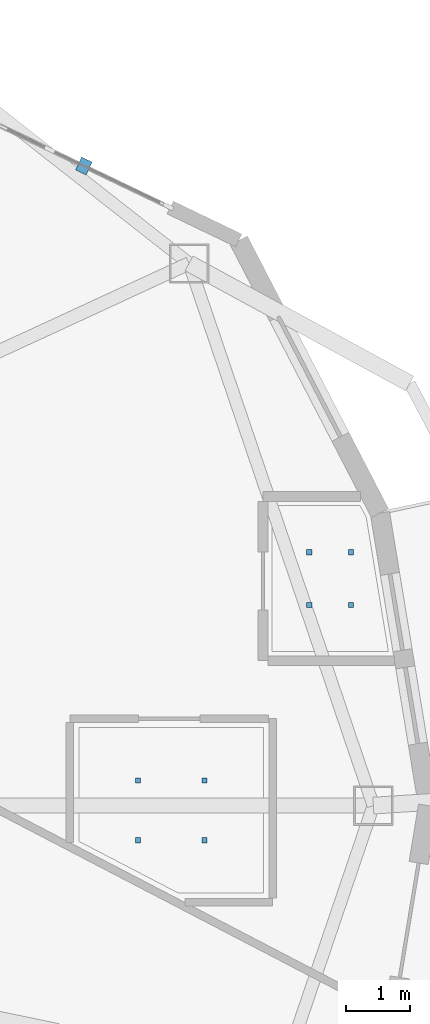
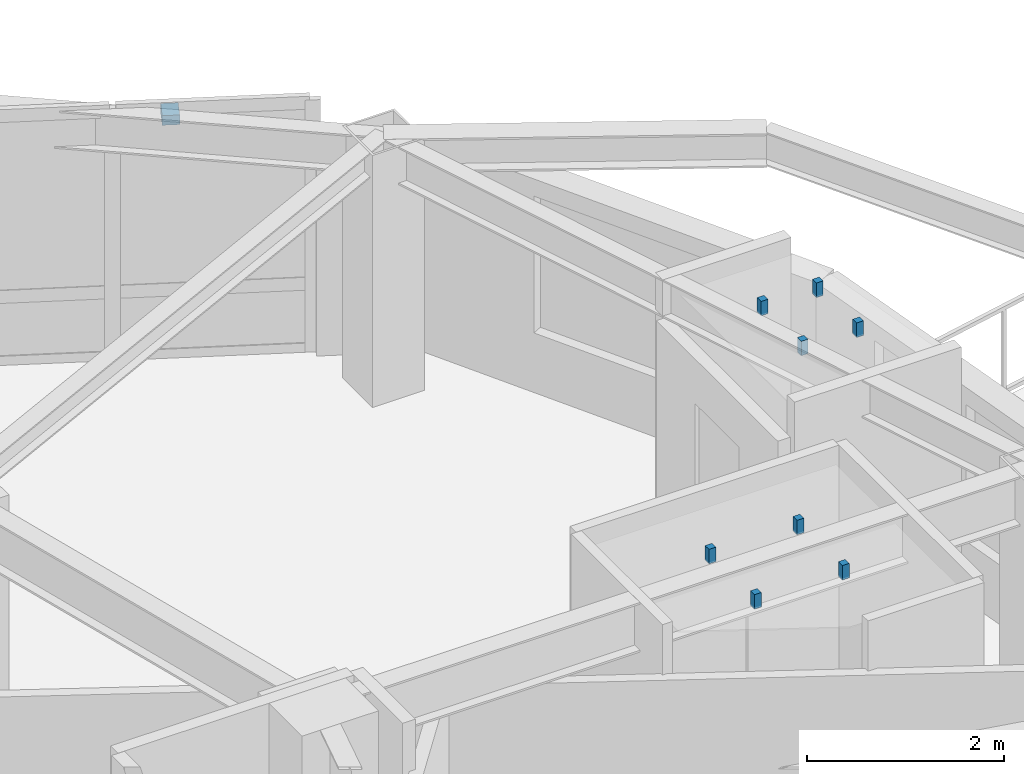
# One storey, part 13 of 18: 9 discrete accessories.
"""IFC4 building model written with IfcOpenShell, lengths in metres."""

from ifc_helpers import new_model, si_unit, direction, frame, origin, origin_2d, place, context, subcontext, project, spatial, rectangle, extrude, material, type_object, element, save


model = new_model("IFC4")

# Units and contexts
model_context = context("Model", 3, precision=1e-05, world=origin(), true_north=direction((0.0, 1.0)))
body_context = subcontext(model_context, "Body", "Model", "MODEL_VIEW")
ifc_project = project(units=[si_unit("LENGTHUNIT", "METRE"), si_unit("AREAUNIT", "SQUARE_METRE"), si_unit("VOLUMEUNIT", "CUBIC_METRE"), si_unit("PLANEANGLEUNIT", "RADIAN"), si_unit("MASSUNIT", "GRAM", prefix="KILO")], contexts=[model_context])

# Site, building, storey
site_placement = place(None, origin())
site = spatial("IfcSite", under=ifc_project, at=site_placement, CompositionType="ELEMENT")
building_placement = place(site_placement, origin())
building = spatial("IfcBuilding", under=site, at=building_placement, Name="Kolvaren Gate Tower and Convention Centre", CompositionType="ELEMENT")
storey_placement = place(building_placement, frame((0.0, 0.0, 176.699951171875)))
storey = spatial("IfcBuildingStorey", under=building, at=storey_placement, Name="L46", CompositionType="ELEMENT", Elevation=176.699951171875)

# Discrete accessories
ifc_material_1 = material(Name="Anodized Architectural Aluminium Alloy 6063-T6", Category="aluminium")
discrete_accessory_type_1 = type_object("IfcDiscreteAccessoryType", Name="ARCH-ACC-BRACKET-120", PredefinedType="BRACKET", material=ifc_material_1)
discrete_accessory_placement = place(storey_placement, frame((46.718505859375, 36.930419921875, 2.949951171875), z_axis=(0.0, 0.0, 1.0), x_axis=(0.901358389955, -0.433073957723, 0.0)))
element("IfcDiscreteAccessory", 1, at=discrete_accessory_placement, inside=storey, type_object=discrete_accessory_type_1, Name="Solar Screen Spandrel Anchor Bracket BK-L46-02", PredefinedType="BRACKET", context=body_context, shape_type="SweptSolid", body=[
    extrude(rectangle(XDim=0.179931640625, YDim=0.219970703125, at=origin_2d()), origin(), (0.0, 0.0, 1.0), 0.1201171875),
])
ifc_material_2 = material(Name="Brushed Stainless Steel Grade 316L", Category="steel")
discrete_accessory_type_2 = type_object("IfcDiscreteAccessoryType", Name="ARCH-ACC-HANGER-80", PredefinedType="BRACKET", material=ifc_material_2)
for number, where, z_axis, x_axis, name in (
    (2, (47.55810546875, 26.4619140625, 2.9501953125), (0.0, 0.0, 1.0), (1.0, 0.0, 0.0), "Suite Principal Bedroom (HTL-L46-05) Ceiling Suspension Hanger Clip 1"),
    (3, (48.592041015625, 26.4619140625, 2.9501953125), (0.0, 0.0, 1.0), (1.0, 0.0, 0.0), "Suite Principal Bedroom (HTL-L46-05) Ceiling Suspension Hanger Clip 2"),
    (4, (47.55810546875, 27.387939453125, 2.9501953125), (0.0, 0.0, 1.0), (1.0, 0.0, 0.0), "Suite Principal Bedroom (HTL-L46-05) Ceiling Suspension Hanger Clip 3"),
    (5, (48.592041015625, 27.387939453125, 2.9501953125), (0.0, 0.0, 1.0), (1.0, 0.0, 0.0), "Suite Principal Bedroom (HTL-L46-05) Ceiling Suspension Hanger Clip 4"),
    (6, (50.218017578125, 30.115966796875, 2.9501953125), (0.0, 0.0, 1.0), (1.0, 0.0, 0.0), "En-suite Bathroom (HTL-L46-05) Ceiling Suspension Hanger Clip 1"),
    (7, (50.867919921875, 30.115966796875, 2.9501953125), (0.0, 0.0, 1.0), (1.0, 0.0, 0.0), "En-suite Bathroom (HTL-L46-05) Ceiling Suspension Hanger Clip 2"),
    (8, (50.218017578125, 30.93408203125, 2.9501953125), (0.0, 0.0, 1.0), (1.0, 0.0, 0.0), "En-suite Bathroom (HTL-L46-05) Ceiling Suspension Hanger Clip 3"),
    (9, (50.867919921875, 30.93408203125, 2.9501953125), (0.0, 0.0, 1.0), (1.0, 0.0, 0.0), "En-suite Bathroom (HTL-L46-05) Ceiling Suspension Hanger Clip 4"),
):
    element("IfcDiscreteAccessory", number, at=place(storey_placement, frame(where, z_axis=z_axis, x_axis=x_axis)), inside=storey, type_object=discrete_accessory_type_2, Name=name, PredefinedType="BRACKET", context=body_context, shape_type="SweptSolid", body=[
        extrude(rectangle(XDim=0.080078125, YDim=0.080078125, at=origin_2d()), origin(), (0.0, 0.0, 1.0), 0.179931640625),
    ])

save(model, "model.ifc")
